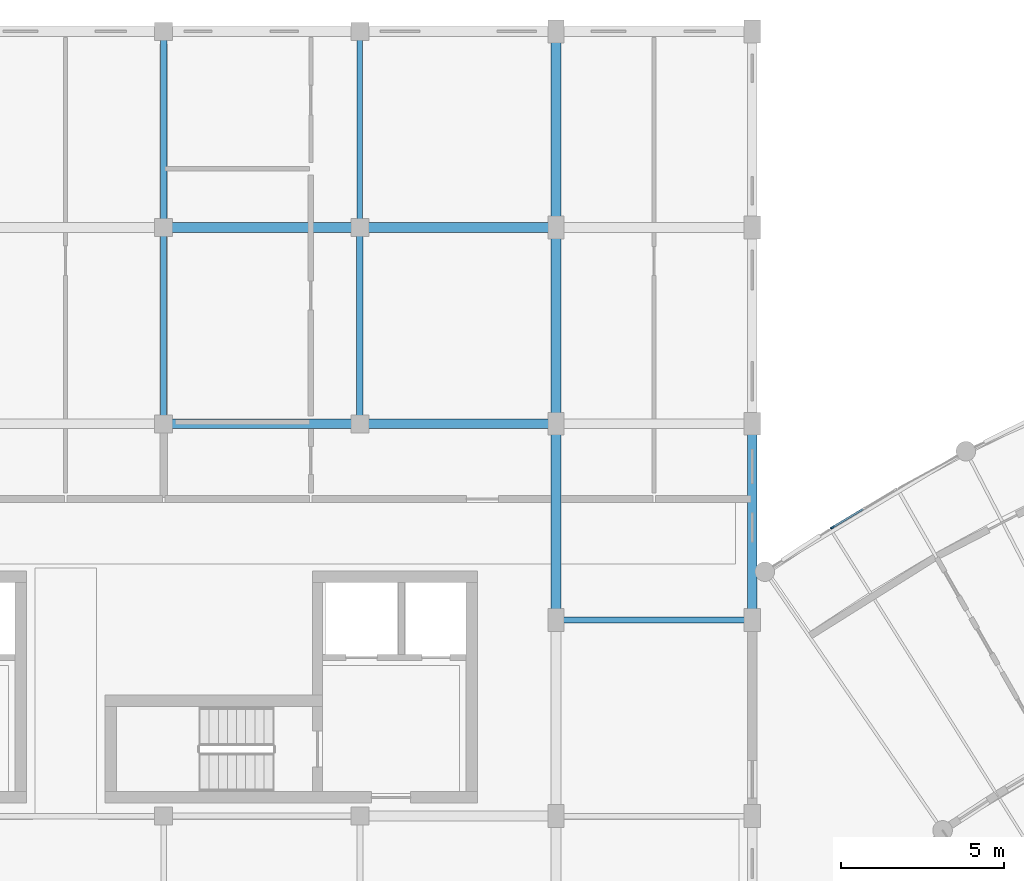
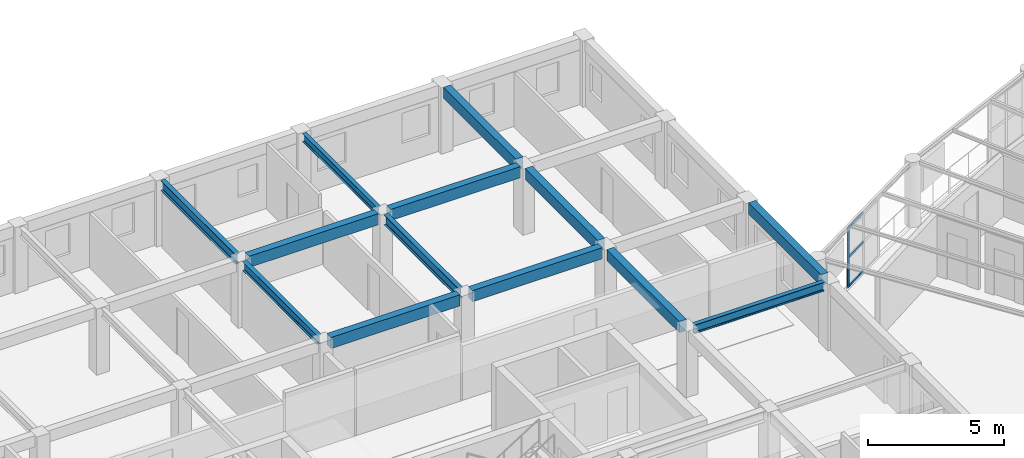
# One storey, part 31 of 101: 13 beams, 4 members, 1 element without a shape of its own.
"""IFC4 building model written with IfcOpenShell, lengths in metres."""

from ifc_helpers import new_model, si_unit, direction, frame, origin, origin_2d, place, context, subcontext, project, spatial, rectangle, i_section, extrude, material, layer, layer_set, material_profile, profile_set, type_object, element, aggregate, save


model = new_model("IFC4")

# Units and contexts
model_context = context("Model", 3, precision=1e-05, world=origin(), true_north=direction((0.0, 1.0)))
body_context = subcontext(model_context, "Body", "Model", "MODEL_VIEW")
ifc_project = project(units=[si_unit("LENGTHUNIT", "METRE"), si_unit("AREAUNIT", "SQUARE_METRE"), si_unit("VOLUMEUNIT", "CUBIC_METRE"), si_unit("PLANEANGLEUNIT", "RADIAN"), si_unit("MASSUNIT", "GRAM", prefix="KILO"), si_unit("POWERUNIT", "WATT"), si_unit("THERMODYNAMICTEMPERATUREUNIT", "KELVIN")], contexts=[model_context])

# Site, building, storey
site_placement = place(None, origin())
site = spatial("IfcSite", under=ifc_project, at=site_placement, CompositionType="ELEMENT")
building_placement = place(site_placement, origin())
building = spatial("IfcBuilding", under=site, at=building_placement, Name="Ruvembo Vaulted Housing Court", CompositionType="ELEMENT")
storey_placement = place(building_placement, frame((0.0, 0.0, 17.300048828125)))
storey = spatial("IfcBuildingStorey", under=building, at=storey_placement, Name="L05", CompositionType="ELEMENT", Elevation=17.300048828125)

# Beams
ifc_material_1 = material(Name="Steel S355J2", Category="steel")
ifc_material_profile_1 = material_profile(ifc_material_1, i_section(OverallWidth=0.169921875, OverallDepth=0.360107421875, WebThickness=0.008056640625, FlangeThickness=0.0126953125, FilletRadius=0.01806640625, at=origin_2d()), Name="IPE 360")
ifc_profile_set_1 = profile_set([ifc_material_profile_1], Name="Steel S355J2")
beam_type_1 = type_object("IfcBeamType", Name="BM-ST-IPE360", PredefinedType="BEAM", material=ifc_profile_set_1)
beam_1_placement = place(storey_placement, frame((72.0, 108.260009765625, 2.745849609375), z_axis=(0.0, 1.0, 0.0), x_axis=(-1.0, 0.0, 0.0)))
element("IfcBeam", 1, at=beam_1_placement, inside=storey, type_object=beam_type_1, Name="L05 Grid Beam Y #2478", PredefinedType="BEAM", context=body_context, shape_type="SweptSolid", body=[
    extrude(i_section(OverallWidth=0.169921875, OverallDepth=0.360107421875, WebThickness=0.008056640625, FlangeThickness=0.0126953125, FilletRadius=0.01806640625, at=origin_2d()), origin(), (0.0, 0.0, 1.0), 5.47998046875),
])
ifc_material_profile_2 = material_profile(ifc_material_1, i_section(OverallWidth=0.179931640625, OverallDepth=0.39990234375, WebThickness=0.008544921875, FlangeThickness=0.013427734375, FilletRadius=0.02099609375, at=origin_2d()), Name="IPE 400")
ifc_profile_set_2 = profile_set([ifc_material_profile_2], Name="Steel S355J2")
beam_type_2 = type_object("IfcBeamType", Name="BM-ST-IPE400", PredefinedType="BEAM", material=ifc_profile_set_2)
beam_2_placement = place(storey_placement, frame((78.235107421875, 96.0, 2.725830078125), z_axis=(1.0, 0.0, 0.0), x_axis=(0.0, 1.0, 0.0)))
element("IfcBeam", 2, at=beam_2_placement, inside=storey, type_object=beam_type_2, Name="L05 Grid Beam X #2392", PredefinedType="BEAM", context=body_context, shape_type="SweptSolid", body=[
    extrude(i_section(OverallWidth=0.179931640625, OverallDepth=0.39990234375, WebThickness=0.008544921875, FlangeThickness=0.013427734375, FilletRadius=0.02099609375, at=origin_2d()), origin(), (0.0, 0.0, 1.0), 5.52978515625),
])
beam_3_placement = place(storey_placement, frame((66.0, 102.260009765625, 2.725830078125), z_axis=(0.0, 1.0, 0.0), x_axis=(-1.0, 0.0, 0.0)))
element("IfcBeam", 3, at=beam_3_placement, inside=storey, type_object=beam_type_2, Name="L05 Grid Beam Y #2473", PredefinedType="BEAM", context=body_context, shape_type="SweptSolid", body=[
    extrude(i_section(OverallWidth=0.179931640625, OverallDepth=0.39990234375, WebThickness=0.008544921875, FlangeThickness=0.013427734375, FilletRadius=0.02099609375, at=origin_2d()), origin(), (0.0, 0.0, 1.0), 5.47998046875),
])
ifc_material_profile_3 = material_profile(ifc_material_1, i_section(OverallWidth=0.18994140625, OverallDepth=0.449951171875, WebThickness=0.009521484375, FlangeThickness=0.0146484375, FilletRadius=0.02099609375, at=origin_2d()), Name="IPE 450")
ifc_profile_set_3 = profile_set([ifc_material_profile_3], Name="Steel S355J2")
beam_type_3 = type_object("IfcBeamType", Name="BM-ST-IPE450", PredefinedType="BEAM", material=ifc_profile_set_3)
for number, where, z_axis, x_axis, name in (
    (4, (66.0, 108.260009765625, 2.700927734375), (0.0, 1.0, 0.0), (-1.0, 0.0, 0.0), "L05 Grid Beam Y #2474"),
    (5, (72.0, 102.260009765625, 2.700927734375), (0.0, 1.0, 0.0), (-1.0, 0.0, 0.0), "L05 Grid Beam Y #2477"),
):
    element("IfcBeam", number, at=place(storey_placement, frame(where, z_axis=z_axis, x_axis=x_axis)), inside=storey, type_object=beam_type_3, Name=name, PredefinedType="BEAM", context=body_context, shape_type="SweptSolid", body=[
        extrude(i_section(OverallWidth=0.18994140625, OverallDepth=0.449951171875, WebThickness=0.009521484375, FlangeThickness=0.0146484375, FilletRadius=0.02099609375, at=origin_2d()), origin(), (0.0, 0.0, 1.0), 5.47998046875),
    ])

# Curtain wall, members
ifc_material_2 = material(Name="Anodised Aluminium and Solar-Control Glass", Category="aluminium")
ifc_layer = layer(ifc_material_2, 0.1201171875, Name="Anodised Aluminium and Solar-Control Glass")
ifc_layer_set = layer_set([ifc_layer], Name="Anodised Aluminium and Solar-Control Glass")
curtain_wall_type = type_object("IfcCurtainWallType", Name="CW-SCOOP-GAL", PredefinedType="NOTDEFINED", material=ifc_layer_set)
curtain_wall_placement = place(storey_placement, origin())
curtain_wall = element("IfcCurtainWall", 6, at=curtain_wall_placement, inside=storey, type_object=curtain_wall_type, Name="L05 Curtain Wall CW-L05-0083", PredefinedType="NOTDEFINED")
ifc_material_3 = material(Name="Anodised Aluminium 6063-T6", Category="aluminium")
ifc_material_profile_4 = material_profile(ifc_material_3, rectangle(XDim=0.054931640625, YDim=0.1201171875, at=origin_2d()), Name="ALU 55x120")
ifc_profile_set_4 = profile_set([ifc_material_profile_4], Name="Anodised Aluminium 6063-T6")
member_type_1 = type_object("IfcMemberType", Name="CW-MUL-55x120", PredefinedType="MULLION", material=ifc_profile_set_4)
member_1_placement = place(storey_placement, frame((86.450927734375, 98.829833984375, 0.0), z_axis=(0.0, 0.0, 1.0), x_axis=(-0.513827980288, 0.85789323734, 0.0)))
member_1 = element("IfcMember", 7, at=member_1_placement, type_object=member_type_1, Name="CW6 mullion 1", PredefinedType="MULLION", context=body_context, shape_type="SweptSolid", body=[
    extrude(rectangle(XDim=0.054931640625, YDim=0.1201171875, at=origin_2d()), origin(), (0.0, 0.0, 1.0), 2.68994140625),
])
ifc_material_profile_5 = material_profile(ifc_material_3, rectangle(XDim=0.06005859375, YDim=0.10009765625, at=origin_2d()), Name="ALU 60x100")
ifc_profile_set_5 = profile_set([ifc_material_profile_5], Name="Anodised Aluminium 6063-T6")
member_type_2 = type_object("IfcMemberType", Name="CW-TRN-60x100", PredefinedType="USERDEFINED", material=ifc_profile_set_5)
member_2_placement = place(storey_placement, frame((86.474609375, 98.84375, 0.030029296875), z_axis=(0.85779674372, 0.513989052863, 0.0), x_axis=(-0.513989052863, 0.85779674372, 0.0)))
member_2 = element("IfcMember", 8, at=member_2_placement, type_object=member_type_2, Name="CW6 transom 1.1", ObjectType="TRANSOM", PredefinedType="USERDEFINED", context=body_context, shape_type="SweptSolid", body=[
    extrude(rectangle(XDim=0.06005859375, YDim=0.10009765625, at=origin_2d()), origin(), (0.0, 0.0, 1.0), 1.06298828125),
])
member_3_placement = place(storey_placement, frame((86.474609375, 98.84375, 1.344970703125), z_axis=(0.85779674372, 0.513989052863, 0.0), x_axis=(-0.513989052863, 0.85779674372, 0.0)))
member_3 = element("IfcMember", 9, at=member_3_placement, type_object=member_type_2, Name="CW6 transom 1.2", ObjectType="TRANSOM", PredefinedType="USERDEFINED", context=body_context, shape_type="SweptSolid", body=[
    extrude(rectangle(XDim=0.06005859375, YDim=0.10009765625, at=origin_2d()), origin(), (0.0, 0.0, 1.0), 1.06298828125),
])
member_4_placement = place(storey_placement, frame((86.474609375, 98.84375, 2.659912109375), z_axis=(0.85779674372, 0.513989052863, 0.0), x_axis=(-0.513989052863, 0.85779674372, 0.0)))
member_4 = element("IfcMember", 10, at=member_4_placement, type_object=member_type_2, Name="CW6 transom 1.3", ObjectType="TRANSOM", PredefinedType="USERDEFINED", context=body_context, shape_type="SweptSolid", body=[
    extrude(rectangle(XDim=0.06005859375, YDim=0.10009765625, at=origin_2d()), origin(), (0.0, 0.0, 1.0), 1.06298828125),
])
aggregate(curtain_wall, [member_1, member_2, member_3, member_4])

# Beams
ifc_material_4 = material(Name="Concrete C35/45", Category="concrete")
ifc_material_profile_6 = material_profile(ifc_material_4, rectangle(XDim=0.300048828125, YDim=0.5, at=origin_2d()), Name="RC 300x500")
ifc_profile_set_6 = profile_set([ifc_material_profile_6], Name="Concrete C35/45")
beam_type_4 = type_object("IfcBeamType", Name="SP-RC-300x500", PredefinedType="SPANDREL", material=ifc_profile_set_6)
beam_4_placement = place(storey_placement, frame((66.260009765625, 102.0, 2.71484375), z_axis=(1.0, 0.0, 0.0), x_axis=(0.0, 1.0, 0.0)))
element("IfcBeam", 11, at=beam_4_placement, inside=storey, type_object=beam_type_4, Name="L05 Grid Beam X #2401", PredefinedType="SPANDREL", context=body_context, shape_type="SweptSolid", body=[
    extrude(rectangle(XDim=0.300048828125, YDim=0.5, at=origin_2d()), origin(), (0.0, 0.0, 1.0), 5.47998046875),
])
beam_5_placement = place(storey_placement, frame((72.260009765625, 102.0, 2.71484375), z_axis=(1.0, 0.0, 0.0), x_axis=(0.0, 1.0, 0.0)))
element("IfcBeam", 12, at=beam_5_placement, inside=storey, type_object=beam_type_4, Name="L05 Grid Beam X #2402", PredefinedType="SPANDREL", context=body_context, shape_type="SweptSolid", body=[
    extrude(rectangle(XDim=0.300048828125, YDim=0.5, at=origin_2d()), origin(), (0.0, 0.0, 1.0), 5.5048828125),
])
beam_6_placement = place(storey_placement, frame((66.260009765625, 108.0, 2.71484375), z_axis=(1.0, 0.0, 0.0), x_axis=(0.0, 1.0, 0.0)))
element("IfcBeam", 13, at=beam_6_placement, inside=storey, type_object=beam_type_4, Name="L05 Grid Beam X #2412", PredefinedType="SPANDREL", context=body_context, shape_type="SweptSolid", body=[
    extrude(rectangle(XDim=0.300048828125, YDim=0.5, at=origin_2d()), origin(), (0.0, 0.0, 1.0), 5.47998046875),
])
beam_7_placement = place(storey_placement, frame((72.260009765625, 108.0, 2.71484375), z_axis=(1.0, 0.0, 0.0), x_axis=(0.0, 1.0, 0.0)))
element("IfcBeam", 14, at=beam_7_placement, inside=storey, type_object=beam_type_4, Name="L05 Grid Beam X #2413", PredefinedType="SPANDREL", context=body_context, shape_type="SweptSolid", body=[
    extrude(rectangle(XDim=0.300048828125, YDim=0.5, at=origin_2d()), origin(), (0.0, 0.0, 1.0), 5.5048828125),
])
for number, where, z_axis, x_axis, name in (
    (15, (78.0, 96.3349609375, 2.71484375), (0.0, 1.0, 0.0), (-1.0, 0.0, 0.0), "L05 Grid Beam Y #2482"),
    (16, (78.0, 102.3349609375, 2.71484375), (0.0, 1.0, 0.0), (-1.0, 0.0, 0.0), "L05 Grid Beam Y #2483"),
    (17, (78.0, 108.3349609375, 2.71484375), (0.0, 1.0, 0.0), (-1.0, 0.0, 0.0), "L05 Grid Beam Y #2484"),
    (18, (84.0, 96.3349609375, 2.71484375), (0.0, 1.0, 0.0), (-1.0, 0.0, 0.0), "L05 Grid Beam Y #2488"),
):
    element("IfcBeam", number, at=place(storey_placement, frame(where, z_axis=z_axis, x_axis=x_axis)), inside=storey, type_object=beam_type_4, Name=name, PredefinedType="SPANDREL", context=body_context, shape_type="SweptSolid", body=[
        extrude(rectangle(XDim=0.300048828125, YDim=0.5, at=origin_2d()), origin(), (0.0, 0.0, 1.0), 5.330078125),
    ])

save(model, "model.ifc")
